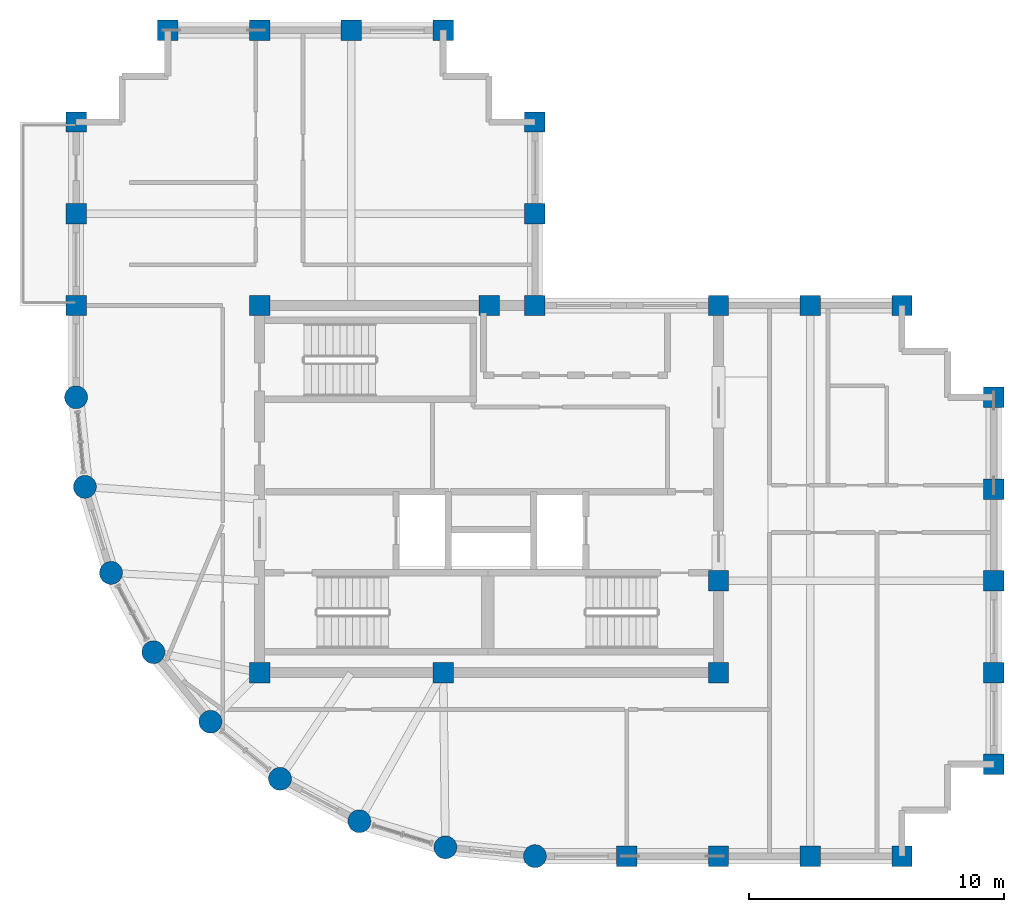
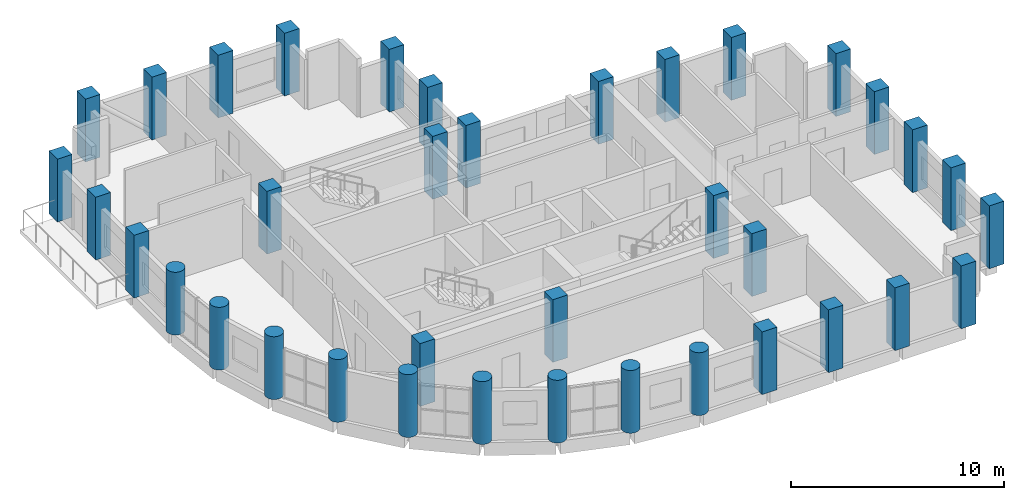
# One storey, part 1 of 11: 37 columns.
"""IFC4 building model written with IfcOpenShell, lengths in metres."""

import ifcopenshell
import ifcopenshell.guid

model = None  # the IFC model being written
_history = None  # IfcOwnerHistory: only IFC2X3 demands one
_inside = {}  # id of a spatial element -> (the spatial element, [elements in it])
_under = {}  # id of a project, library or spatial element -> (it, [spatial elements below it])
_declared = {}  # id of a project -> (the project, [libraries it declares])
_typed = {}  # id of a type object -> (the type object, [elements of that type])
_made_of = {}  # id of a material, layer set ... -> (it, [elements and type objects made of it])


def new_model(schema):
    """Start an empty IFC model of exactly this schema.

    Asked for "IFC4X3", IfcOpenShell would pick the latest addendum, in which some entities
    have other attributes; the version numbers below select the first issue.
    IFC2X3 requires an IfcOwnerHistory on every rooted entity: one is made here for all.
    """
    global model, _history
    if schema == "IFC4X3":
        model = ifcopenshell.file(schema_version=(4, 3, 0, 0))
    else:
        model = ifcopenshell.file(schema=schema)
    _inside.clear()
    _under.clear()
    _declared.clear()
    _typed.clear()
    _made_of.clear()
    _history = None
    if model.schema == "IFC2X3":
        org = make("IfcOrganization", Name="unknown")
        user = make(
            "IfcPersonAndOrganization",
            ThePerson=make("IfcPerson", FamilyName="unknown"),
            TheOrganization=org,
        )
        app = make(
            "IfcApplication",
            ApplicationDeveloper=org,
            Version="unknown",
            ApplicationFullName="unknown",
            ApplicationIdentifier="unknown",
        )
        _history = make(
            "IfcOwnerHistory",
            OwningUser=user,
            OwningApplication=app,
            ChangeAction="ADDED",
            CreationDate=0,
        )
    return model


def make(cls, **values):
    """One entity of the class cls with the attributes given. An attribute that is None is left unset."""
    return model.create_entity(
        cls, **{name: value for name, value in values.items() if value is not None}
    )


def rooted(cls, **values):
    """An entity with a GlobalId (a new one), such as an element, a storey or a relation."""
    return make(cls, GlobalId=ifcopenshell.guid.new(), OwnerHistory=_history, **values)


def si_unit(unit_type, name, prefix=None):
    """IfcSIUnit, for example si_unit("LENGTHUNIT", "METRE", prefix="MILLI")."""
    return make("IfcSIUnit", UnitType=unit_type, Prefix=prefix, Name=name)


def assignment(units):
    """IfcUnitAssignment: the units of a project."""
    return None if units is None else make("IfcUnitAssignment", Units=units)


def point(xyz):
    """IfcCartesianPoint."""
    return None if xyz is None else make("IfcCartesianPoint", Coordinates=xyz)


def direction(xyz):
    """IfcDirection."""
    return None if xyz is None else make("IfcDirection", DirectionRatios=xyz)


def frame(location, z_axis=None, x_axis=None):
    """IfcAxis2Placement3D, a coordinate frame: its origin and axes. An axis left out is left unset."""
    return make(
        "IfcAxis2Placement3D",
        Location=point(location),
        Axis=direction(z_axis),
        RefDirection=direction(x_axis),
    )


def frame_2d(location, x_axis=None):
    """IfcAxis2Placement2D, a coordinate frame in the plane: its origin and x axis."""
    return make(
        "IfcAxis2Placement2D", Location=point(location), RefDirection=direction(x_axis)
    )


def origin():
    """The frame at (0, 0, 0) with its axes left unset."""
    return frame((0.0, 0.0, 0.0))


def origin_2d():
    """The frame at (0, 0) in the plane with its x axis left unset."""
    return frame_2d((0.0, 0.0))


def place(relative_to, where):
    """IfcLocalPlacement: puts the frame where relative to a parent placement (None: the world)."""
    return make(
        "IfcLocalPlacement", PlacementRelTo=relative_to, RelativePlacement=where
    )


def context(
    kind, dimensions, precision=None, world=None, true_north=None, identifier=None
):
    """IfcGeometricRepresentationContext, for example the 3D "Model" context."""
    return make(
        "IfcGeometricRepresentationContext",
        ContextIdentifier=identifier,
        ContextType=kind,
        CoordinateSpaceDimension=dimensions,
        Precision=precision,
        WorldCoordinateSystem=world,
        TrueNorth=true_north,
    )


def subcontext(parent, identifier, kind, view, scale=None):
    """IfcGeometricRepresentationSubContext, for example "Body" below "Model"."""
    return make(
        "IfcGeometricRepresentationSubContext",
        ContextIdentifier=identifier,
        ContextType=kind,
        ParentContext=parent,
        TargetScale=scale,
        TargetView=view,
    )


def project(units=None, contexts=None):
    """IfcProject with its units and contexts."""
    return rooted(
        "IfcProject",
        Name="project",
        RepresentationContexts=contexts,
        UnitsInContext=assignment(units),
    )


def spatial(cls, under=None, at=None, **own):
    """A site, building, storey or space (cls), placed at a placement, below another one or the project."""
    s = rooted(cls, ObjectPlacement=at, **own)
    if under is not None:
        _under.setdefault(under.id(), (under, []))[1].append(s)
    return s


def profile(cls, at=None, kind="AREA", **sizes):
    """A parametric profile (cls). Its sizes go by their IFC names, for example OverallWidth=200.0."""
    return make(cls, ProfileType=kind, Position=at, **sizes)


def rectangle(**sizes):
    """IfcRectangleProfileDef."""
    return profile("IfcRectangleProfileDef", **sizes)


def circle(**sizes):
    """IfcCircleProfileDef."""
    return profile("IfcCircleProfileDef", **sizes)


def extrude(swept, where, along, depth):
    """IfcExtrudedAreaSolid: the profile swept, set in the frame where, extruded along a direction by depth."""
    return make(
        "IfcExtrudedAreaSolid",
        SweptArea=swept,
        Position=where,
        ExtrudedDirection=direction(along),
        Depth=depth,
    )


def shape(context_of_items, identifier, shape_type, items):
    """IfcShapeRepresentation: the items that make up one representation, for example the "Body"."""
    return make(
        "IfcShapeRepresentation",
        ContextOfItems=context_of_items,
        RepresentationIdentifier=identifier,
        RepresentationType=shape_type,
        Items=items,
    )


def material(Name=None, Category=None):
    """IfcMaterial."""
    return make("IfcMaterial", Name=Name, Category=Category)


def material_profile(
    of_material, cross_section, Name=None, Category=None, Priority=None
):
    """IfcMaterialProfile: a cross section and its material."""
    return make(
        "IfcMaterialProfile",
        Name=Name,
        Material=of_material,
        Profile=cross_section,
        Priority=Priority,
        Category=Category,
    )


def profile_set(profiles, Name=None, composite=None):
    """IfcMaterialProfileSet."""
    return make(
        "IfcMaterialProfileSet",
        Name=Name,
        MaterialProfiles=profiles,
        CompositeProfile=composite,
    )


def made_of(thing, what):
    """Note that an element or type object is made of a material, layer set ...; save() writes the relation."""
    if what is not None:
        _made_of.setdefault(what.id(), (what, []))[1].append(thing)
    return thing


def type_object(cls, material=None, **own):
    """A type object (cls), such as IfcWallType, which elements share."""
    return made_of(rooted(cls, **own), material)


def element(
    cls,
    number,
    at=None,
    inside=None,
    cuts=None,
    type_object=None,
    material=None,
    context=None,
    identifier="Body",
    shape_type=None,
    held_by="IfcProductDefinitionShape",
    body=None,
    shapes=None,
    **own,
):
    """One element of the class cls, such as IfcWall. Its Tag is "e" and its number.

    at: its placement. inside: the storey or other place that contains it. cuts: it is an
    opening in that element (IfcRelVoidsElement). A single representation is given by context,
    identifier, shape_type and body (its items); several are given by shapes. held_by: the class
    of the entity that holds the representations. save() writes the other relations.
    """
    e = rooted(cls, Tag="e%d" % number, ObjectPlacement=at, **own)
    if body is not None:
        shapes = [shape(context, identifier, shape_type, body)]
    if shapes is not None:
        e.Representation = make(held_by, Representations=shapes)
    if inside is not None:
        _inside.setdefault(inside.id(), (inside, []))[1].append(e)
    if cuts is not None:
        rooted(
            "IfcRelVoidsElement", RelatingBuildingElement=cuts, RelatedOpeningElement=e
        )
    if type_object is not None:
        _typed.setdefault(type_object.id(), (type_object, []))[1].append(e)
    return made_of(e, material)


def aggregate(whole, parts):
    """IfcRelAggregates: a whole, such as a stair, and the parts it consists of."""
    return rooted("IfcRelAggregates", RelatingObject=whole, RelatedObjects=parts)


def save(model, path):
    """Write the relations noted so far, then the file.

    IfcRelAggregates (storeys below a building ...), IfcRelContainedInSpatialStructure (elements
    in a storey), IfcRelDefinesByType, IfcRelAssociatesMaterial and IfcRelDeclares: one each for
    every whole, place, type object, material and project.
    """
    for whole, parts in _under.values():
        aggregate(whole, parts)
    for where, things in _inside.values():
        rooted(
            "IfcRelContainedInSpatialStructure",
            RelatedElements=things,
            RelatingStructure=where,
        )
    for kind, things in _typed.values():
        rooted("IfcRelDefinesByType", RelatedObjects=things, RelatingType=kind)
    for what, things in _made_of.values():
        rooted("IfcRelAssociatesMaterial", RelatedObjects=things, RelatingMaterial=what)
    for by, libraries in _declared.values():
        rooted("IfcRelDeclares", RelatingContext=by, RelatedDefinitions=libraries)
    model.write(path)


model = new_model("IFC4")

# Units and contexts
model_context = context("Model", 3, precision=1e-05, world=origin(), true_north=direction((0.0, 1.0)))
body_context = subcontext(model_context, "Body", "Model", "MODEL_VIEW")
ifc_project = project(units=[si_unit("LENGTHUNIT", "METRE"), si_unit("AREAUNIT", "SQUARE_METRE"), si_unit("VOLUMEUNIT", "CUBIC_METRE"), si_unit("PLANEANGLEUNIT", "RADIAN"), si_unit("MASSUNIT", "GRAM", prefix="KILO")], contexts=[model_context])

# Site, building, storey
site_placement = place(None, origin())
site = spatial("IfcSite", under=ifc_project, at=site_placement, CompositionType="ELEMENT")
building_placement = place(site_placement, origin())
building = spatial("IfcBuilding", under=site, at=building_placement, Name="Solnavia Interchange Tower", CompositionType="ELEMENT")
storey_placement = place(building_placement, frame((0.0, 0.0, 263.0)))
storey = spatial("IfcBuildingStorey", under=building, at=storey_placement, Name="L66", CompositionType="ELEMENT", Elevation=263.0)

# Columns
ifc_material = material(Name="Concrete C50/60", Category="concrete")
ifc_material_profile_1 = material_profile(ifc_material, rectangle(XDim=0.800048828125, YDim=0.800048828125, at=origin_2d()), Name="RC 800x800")
ifc_profile_set_1 = profile_set([ifc_material_profile_1], Name="Concrete C50/60")
column_type_1 = type_object("IfcColumnType", Name="Col-RC-800x800", PredefinedType="COLUMN", material=ifc_profile_set_1)
for number, where, z_axis, x_axis, name in (
    (1, (7.199951171875, 25.199951171875, 0.0), (0.0, 0.0, 1.0), (0.0, 1.0, 0.0), "COL-L66-02 Tower perim y column"),
    (2, (7.199951171875, 28.800048828125, 0.0), (0.0, 0.0, 1.0), (0.0, 1.0, 0.0), "COL-L66-03 Tower perim y column"),
    (3, (7.199951171875, 32.39990234375, 0.0), (0.0, 0.0, 1.0), (0.0, 1.0, 0.0), "COL-L66-04 Tower corner column"),
    (4, (10.800048828125, 36.0, 0.0), (0.0, 0.0, 1.0), (1.0, 0.0, 0.0), "COL-L66-08 Tower corner column"),
    (5, (14.39990234375, 10.800048828125, 0.0), (0.0, 0.0, 1.0), (1.0, 0.0, 0.0), "COL-L66-10 Tower interior column"),
    (6, (14.39990234375, 25.199951171875, 0.0), (0.0, 0.0, 1.0), (1.0, 0.0, 0.0), "COL-L66-11 Tower interior column"),
    (7, (14.39990234375, 36.0, 0.0), (0.0, 0.0, 1.0), (1.0, 0.0, 0.0), "COL-L66-12 Tower perim x column"),
    (8, (18.0, 36.0, 0.0), (0.0, 0.0, 1.0), (1.0, 0.0, 0.0), "COL-L66-14 Tower perim x column"),
    (9, (21.60009765625, 10.800048828125, 0.0), (0.0, 0.0, 1.0), (1.0, 0.0, 0.0), "COL-L66-16 Tower interior column"),
    (10, (21.60009765625, 36.0, 0.0), (0.0, 0.0, 1.0), (1.0, 0.0, 0.0), "COL-L66-17 Tower corner column"),
    (11, (23.39990234375, 25.199951171875, 0.0), (0.0, 0.0, 1.0), (1.0, 0.0, 0.0), "COL-L66-19 Tower interior column"),
    (12, (25.199951171875, 25.199951171875, 0.0), (0.0, 0.0, 1.0), (1.0, 0.0, 0.0), "COL-L66-21 Tower interior column"),
    (13, (25.199951171875, 28.800048828125, 0.0), (0.0, 0.0, 1.0), (0.0, 1.0, 0.0), "COL-L66-22 Tower perim y column"),
    (14, (25.199951171875, 32.39990234375, 0.0), (0.0, 0.0, 1.0), (0.0, 1.0, 0.0), "COL-L66-23 Tower corner column"),
    (15, (28.800048828125, 3.60009765625, 0.0), (0.0, 0.0, 1.0), (1.0, 0.0, 0.0), "COL-L66-24 Tower perim x column"),
    (16, (32.39990234375, 3.60009765625, 0.0), (0.0, 0.0, 1.0), (1.0, 0.0, 0.0), "COL-L66-25 Tower perim x column"),
    (17, (32.39990234375, 10.800048828125, 0.0), (0.0, 0.0, 1.0), (1.0, 0.0, 0.0), "COL-L66-26 Tower interior column"),
    (18, (32.39990234375, 14.39990234375, 0.0), (0.0, 0.0, 1.0), (1.0, 0.0, 0.0), "COL-L66-27 Tower interior column"),
    (19, (32.39990234375, 25.199951171875, 0.0), (0.0, 0.0, 1.0), (1.0, 0.0, 0.0), "COL-L66-28 Tower interior column"),
    (20, (36.0, 3.60009765625, 0.0), (0.0, 0.0, 1.0), (1.0, 0.0, 0.0), "COL-L66-29 Tower perim x column"),
    (21, (36.0, 25.199951171875, 0.0), (0.0, 0.0, 1.0), (1.0, 0.0, 0.0), "COL-L66-30 Tower perim x column"),
    (22, (39.60009765625, 3.60009765625, 0.0), (0.0, 0.0, 1.0), (1.0, 0.0, 0.0), "COL-L66-31 Tower corner column"),
    (23, (39.60009765625, 25.199951171875, 0.0), (0.0, 0.0, 1.0), (1.0, 0.0, 0.0), "COL-L66-32 Tower corner column"),
    (24, (43.199951171875, 7.199951171875, 0.0), (0.0, 0.0, 1.0), (1.0, 0.0, 0.0), "COL-L66-33 Tower corner column"),
    (25, (43.199951171875, 10.800048828125, 0.0), (0.0, 0.0, 1.0), (0.0, 1.0, 0.0), "COL-L66-34 Tower perim y column"),
    (26, (43.199951171875, 14.39990234375, 0.0), (0.0, 0.0, 1.0), (0.0, 1.0, 0.0), "COL-L66-35 Tower perim y column"),
    (27, (43.199951171875, 18.0, 0.0), (0.0, 0.0, 1.0), (0.0, 1.0, 0.0), "COL-L66-36 Tower perim y column"),
    (28, (43.199951171875, 21.60009765625, 0.0), (0.0, 0.0, 1.0), (0.0, 1.0, 0.0), "COL-L66-37 Tower corner column"),
):
    element("IfcColumn", number, at=place(storey_placement, frame(where, z_axis=z_axis, x_axis=x_axis)), inside=storey, type_object=column_type_1, Name=name, PredefinedType="COLUMN", context=body_context, shape_type="SweptSolid", body=[
        extrude(rectangle(XDim=0.800048828125, YDim=0.800048828125, at=origin_2d()), origin(), (0.0, 0.0, 1.0), 3.60009765625),
    ])
ifc_material_profile_2 = material_profile(ifc_material, circle(Radius=0.449951171875, at=origin_2d()), Name="RC D900")
ifc_profile_set_2 = profile_set([ifc_material_profile_2], Name="Concrete C50/60")
column_type_2 = type_object("IfcColumnType", Name="Col-RC-D900", PredefinedType="COLUMN", material=ifc_profile_set_2)
for number, where, z_axis, x_axis, name in (
    (29, (7.199951171875, 21.60009765625, 0.0), (0.0, 0.0, 1.0), (1.0, 0.0, 0.0), "COL-L66-01 Tower drum column"),
    (30, (7.5458984375, 18.087890625, 0.0), (0.0, 0.0, 1.0), (1.0, 0.0, 0.0), "COL-L66-05 Tower drum column"),
    (31, (8.570068359375, 14.7119140625, 0.0), (0.0, 0.0, 1.0), (1.0, 0.0, 0.0), "COL-L66-06 Tower drum column"),
    (32, (10.23388671875, 11.60009765625, 0.0), (0.0, 0.0, 1.0), (1.0, 0.0, 0.0), "COL-L66-07 Tower drum column"),
    (33, (12.471923828125, 8.8720703125, 0.0), (0.0, 0.0, 1.0), (1.0, 0.0, 0.0), "COL-L66-09 Tower drum column"),
    (34, (15.199951171875, 6.634033203125, 0.0), (0.0, 0.0, 1.0), (1.0, 0.0, 0.0), "COL-L66-13 Tower drum column"),
    (35, (18.31201171875, 4.969970703125, 0.0), (0.0, 0.0, 1.0), (1.0, 0.0, 0.0), "COL-L66-15 Tower drum column"),
    (36, (21.68798828125, 3.946044921875, 0.0), (0.0, 0.0, 1.0), (1.0, 0.0, 0.0), "COL-L66-18 Tower drum column"),
    (37, (25.199951171875, 3.60009765625, 0.0), (0.0, 0.0, 1.0), (1.0, 0.0, 0.0), "COL-L66-20 Tower drum column"),
):
    element("IfcColumn", number, at=place(storey_placement, frame(where, z_axis=z_axis, x_axis=x_axis)), inside=storey, type_object=column_type_2, Name=name, PredefinedType="COLUMN", context=body_context, shape_type="SweptSolid", body=[
        extrude(circle(Radius=0.449951171875, at=origin_2d()), origin(), (0.0, 0.0, 1.0), 3.60009765625),
    ])

save(model, "model.ifc")
